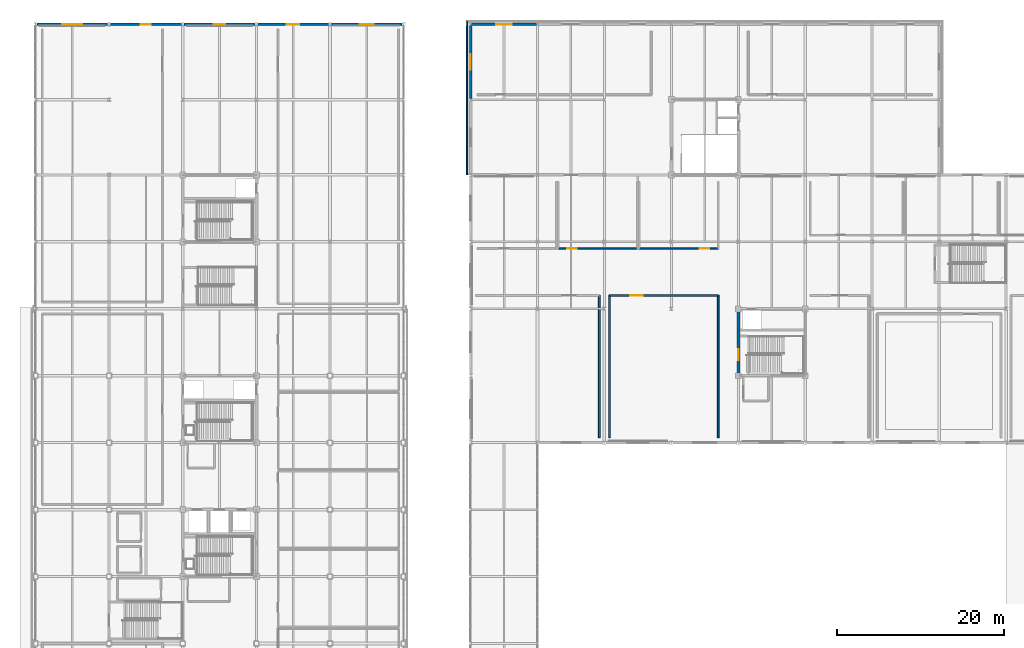
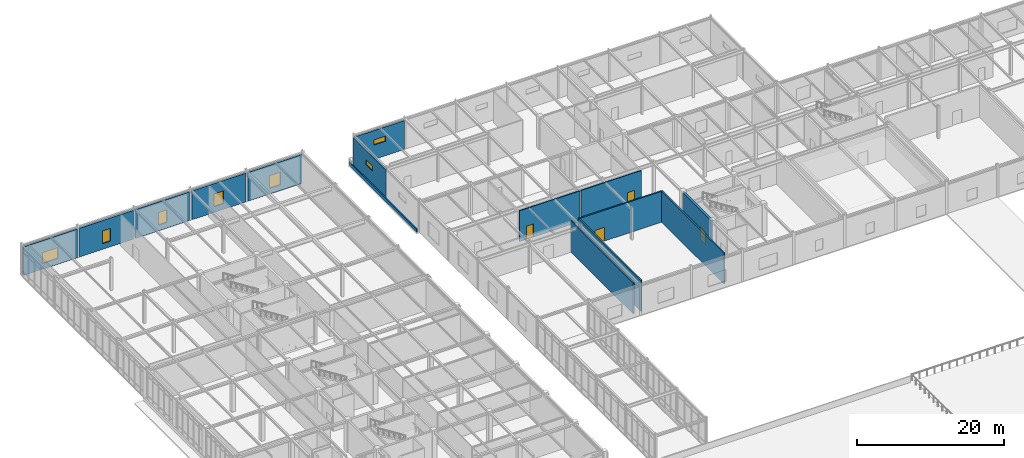
# One storey, part 91 of 108: 15 walls, 7 windows, 4 doors, 11 openings.
"""IFC4 building model written with IfcOpenShell, lengths in metres."""

from ifc_helpers import new_model, si_unit, direction, frame, frame_2d, origin, place, context, subcontext, project, spatial, rectangle, extrude, material, layer, layer_set, type_object, element, fill, save


model = new_model("IFC4")

# Units and contexts
model_context = context("Model", 3, precision=1e-05, world=origin(), true_north=direction((0.0, 1.0)))
body_context = subcontext(model_context, "Body", "Model", "MODEL_VIEW")
ifc_project = project(units=[si_unit("LENGTHUNIT", "METRE"), si_unit("AREAUNIT", "SQUARE_METRE"), si_unit("VOLUMEUNIT", "CUBIC_METRE"), si_unit("PLANEANGLEUNIT", "RADIAN"), si_unit("MASSUNIT", "GRAM", prefix="KILO")], contexts=[model_context])

# Site, building, storey
site_placement = place(None, origin())
site = spatial("IfcSite", under=ifc_project, at=site_placement, CompositionType="ELEMENT")
building_placement = place(site_placement, origin())
building = spatial("IfcBuilding", under=site, at=building_placement, Name="Zhaolan Boulevard Law Courts", CompositionType="ELEMENT")
storey_placement = place(building_placement, frame((0.0, 0.0, 10.800048828125)))
storey = spatial("IfcBuildingStorey", under=building, at=storey_placement, Name="L02", CompositionType="ELEMENT", Elevation=10.800048828125)

# Wall, opening, door
ifc_material_1 = material(Name="Concrete C50", Category="concrete")
ifc_layer_1 = layer(ifc_material_1, 0.35009765625)
ifc_layer_set_1 = layer_set([ifc_layer_1])
wall_type_1 = type_object("IfcWallType", Name="CORE SHEAR WALL 350", PredefinedType="SHEAR", material=ifc_layer_set_1)
wall_1_placement = place(storey_placement, frame((84.0, 70.175048828125, 0.0), z_axis=(0.0, 0.0, 1.0), x_axis=(0.0, 1.0, 0.0)))
wall_1 = element("IfcWall", 1, at=wall_1_placement, inside=storey, type_object=wall_type_1, Name="Core Shear Wall CW-T1-L02W", PredefinedType="SHEAR", context=body_context, shape_type="SweptSolid", body=[
    extrude(rectangle(XDim=7.64990234375, YDim=0.35009765625, at=frame_2d((3.824951171875, 0.0))), origin(), (0.0, 0.0, 1.0), 5.119873046875),
])
opening_1_placement = place(wall_1_placement, frame((1.64990234375, 0.0, 0.0)))
opening_1 = element("IfcOpeningElement", 2, at=opening_1_placement, cuts=wall_1, Name="Opening SD-L02-32", PredefinedType="OPENING", context=body_context, shape_type="SweptSolid", body=[
    extrude(rectangle(XDim=1.35009765625, YDim=2.199951171875, at=frame_2d((0.675048828125, 1.10009765625))), frame((0.0, 0.18505859375, 0.0), z_axis=(0.0, -1.0, 0.0), x_axis=(1.0, 0.0, 0.0)), (0.0, 0.0, 1.0), 0.3701171875),
])
ifc_material_2 = material(Name="Fire-rated steel acoustic door", Category="steel")
door_type_1 = type_object("IfcDoorType", Name="STAIR FIRE 1350X2200 R", OperationType="SINGLE_SWING_RIGHT", PredefinedType="DOOR", material=ifc_material_2)
door_1_placement = place(opening_1_placement, origin())
door_1 = element("IfcDoor", 3, at=door_1_placement, inside=storey, type_object=door_type_1, Name="Smoke-Proof Stairwell Fire Door SD-L02-32", OperationType="SINGLE_SWING_RIGHT", OverallHeight=2.199951171875, OverallWidth=1.35009765625, PredefinedType="DOOR", context=body_context, shape_type="SweptSolid", body=[
    extrude(rectangle(XDim=1.35009765625, YDim=2.199951171875, at=frame_2d((0.675048828125, 1.10009765625))), frame((0.0, 0.02490234375, 0.0), z_axis=(0.0, -1.0, 0.0), x_axis=(1.0, 0.0, 0.0)), (0.0, 0.0, 1.0), 0.050048828125),
])
fill(opening_1, door_1)

# Wall
ifc_material_3 = material(Name="Concrete C40", Category="concrete")
ifc_layer_2 = layer(ifc_material_3, 0.159912109375)
ifc_layer_set_2 = layer_set([ifc_layer_2])
wall_type_2 = type_object("IfcWallType", Name="EXT WALL ARCH CLAD160", PredefinedType="SOLIDWALL", material=ifc_layer_set_2)
wall_2_placement = place(storey_placement, frame((51.580078125, 112.419921875, 0.0), z_axis=(0.0, 0.0, 1.0), x_axis=(0.0, -1.0, 0.0)))
element("IfcWall", 4, at=wall_2_placement, inside=storey, type_object=wall_type_2, Name="Custody Concrete Spandrel Band CBW-258", PredefinedType="SOLIDWALL", context=body_context, shape_type="SweptSolid", body=[
    extrude(rectangle(XDim=18.419921875, YDim=0.159912109375, at=frame_2d((9.2099609375, 0.0))), origin(), (0.0, 0.0, 1.0), 0.550048828125),
])

# Wall, opening, window
ifc_material_4 = material(Name="Concrete C40", Category="concrete")
ifc_layer_3 = layer(ifc_material_4, 0.300048828125)
ifc_layer_set_3 = layer_set([ifc_layer_3])
wall_type_3 = type_object("IfcWallType", Name="EXT WALL CONCRETE300", PredefinedType="SOLIDWALL", material=ifc_layer_set_3)
wall_3_placement = place(storey_placement, frame((59.87890625, 112.0, 0.0), z_axis=(0.0, 0.0, 1.0), x_axis=(-1.0, 0.0, 0.0)))
wall_3 = element("IfcWall", 5, at=wall_3_placement, inside=storey, type_object=wall_type_3, Name="Exterior Wall EW-L02-328", PredefinedType="SOLIDWALL", context=body_context, shape_type="SweptSolid", body=[
    extrude(rectangle(XDim=7.7578125, YDim=0.300048828125, at=frame_2d((3.87890625, 0.0))), origin(), (0.0, 0.0, 1.0), 4.782958984375),
])
opening_2_placement = place(wall_3_placement, frame((2.97900390625, 0.0, 2.39990234375)))
opening_2 = element("IfcOpeningElement", 6, at=opening_2_placement, cuts=wall_3, Name="Opening WIN-L02-183", PredefinedType="OPENING", context=body_context, shape_type="SweptSolid", body=[
    extrude(rectangle(XDim=1.800048828125, YDim=0.85009765625, at=frame_2d((0.89990234375, 0.425048828125))), frame((0.0, 0.159912109375, 0.0), z_axis=(0.0, -1.0, 0.0), x_axis=(1.0, 0.0, 0.0)), (0.0, 0.0, 1.0), 0.320068359375),
])
ifc_material_5 = material(Name="Thermally broken aluminium and low-E glazing", Category="aluminium")
window_type_1 = type_object("IfcWindowType", Name="WINDOW 1800X850", PartitioningType="DOUBLE_PANEL_VERTICAL", PredefinedType="WINDOW", material=ifc_material_5)
window_1_placement = place(opening_2_placement, origin())
window_1 = element("IfcWindow", 7, at=window_1_placement, inside=storey, type_object=window_type_1, Name="Exterior Window WIN-L02-183", OverallHeight=0.85009765625, OverallWidth=1.800048828125, PartitioningType="SINGLE_PANEL", PredefinedType="WINDOW", context=body_context, shape_type="SweptSolid", body=[
    extrude(rectangle(XDim=1.800048828125, YDim=0.85009765625, at=frame_2d((0.89990234375, 0.425048828125))), frame((0.0, 0.030029296875, 0.0), z_axis=(0.0, -1.0, 0.0), x_axis=(1.0, 0.0, 0.0)), (0.0, 0.0, 1.0), 0.06005859375),
])
fill(opening_2, window_1)

wall_4_placement = place(storey_placement, frame((52.0, 111.87890625, 0.0), z_axis=(0.0, 0.0, 1.0), x_axis=(0.0, -1.0, 0.0)))
wall_4 = element("IfcWall", 8, at=wall_4_placement, inside=storey, type_object=wall_type_3, Name="Exterior Wall EW-L02-336", PredefinedType="SOLIDWALL", context=body_context, shape_type="SweptSolid", body=[
    extrude(rectangle(XDim=8.7578125, YDim=0.300048828125, at=frame_2d((4.37890625, 0.0))), origin(), (0.0, 0.0, 1.0), 4.782958984375),
])
opening_3_placement = place(wall_4_placement, frame((3.47900390625, 0.0, 2.39990234375)))
opening_3 = element("IfcOpeningElement", 9, at=opening_3_placement, cuts=wall_4, Name="Opening WIN-L02-191", PredefinedType="OPENING", context=body_context, shape_type="SweptSolid", body=[
    extrude(rectangle(XDim=1.800048828125, YDim=0.85009765625, at=frame_2d((0.89990234375, 0.425048828125))), frame((0.0, 0.159912109375, 0.0), z_axis=(0.0, -1.0, 0.0), x_axis=(1.0, 0.0, 0.0)), (0.0, 0.0, 1.0), 0.320068359375),
])
window_2_placement = place(opening_3_placement, origin())
window_2 = element("IfcWindow", 10, at=window_2_placement, inside=storey, type_object=window_type_1, Name="Exterior Window WIN-L02-191", OverallHeight=0.85009765625, OverallWidth=1.800048828125, PartitioningType="SINGLE_PANEL", PredefinedType="WINDOW", context=body_context, shape_type="SweptSolid", body=[
    extrude(rectangle(XDim=1.800048828125, YDim=0.85009765625, at=frame_2d((0.89990234375, 0.425048828125))), frame((0.0, 0.030029296875, 0.0), z_axis=(0.0, -1.0, 0.0), x_axis=(1.0, 0.0, 0.0)), (0.0, 0.0, 1.0), 0.06005859375),
])
fill(opening_3, window_2)

wall_5_placement = place(storey_placement, frame((8.62890625, 112.0, 0.0), z_axis=(0.0, 0.0, 1.0), x_axis=(-1.0, 0.0, 0.0)))
wall_5 = element("IfcWall", 11, at=wall_5_placement, inside=storey, type_object=wall_type_3, Name="Exterior Wall EW-L02-350", PredefinedType="SOLIDWALL", context=body_context, shape_type="SweptSolid", body=[
    extrude(rectangle(XDim=8.4580078125, YDim=0.300048828125, at=frame_2d((4.22900390625, 0.0))), origin(), (0.0, 0.0, 1.0), 4.762939453125),
])
opening_4_placement = place(wall_5_placement, frame((3.029052734375, 0.0, 0.949951171875)))
opening_4 = element("IfcOpeningElement", 12, at=opening_4_placement, cuts=wall_5, Name="Opening WIN-L02-203", PredefinedType="OPENING", context=body_context, shape_type="SweptSolid", body=[
    extrude(rectangle(XDim=2.39990234375, YDim=1.800048828125, at=frame_2d((1.199951171875, 0.89990234375))), frame((0.0, 0.159912109375, 0.0), z_axis=(0.0, -1.0, 0.0), x_axis=(1.0, 0.0, 0.0)), (0.0, 0.0, 1.0), 0.320068359375),
])
ifc_material_6 = material(Name="Thermally broken aluminium and low-E glazing", Category="aluminium")
window_type_2 = type_object("IfcWindowType", Name="WINDOW 2400X1800", PartitioningType="DOUBLE_PANEL_VERTICAL", PredefinedType="WINDOW", material=ifc_material_6)
window_3_placement = place(opening_4_placement, origin())
window_3 = element("IfcWindow", 13, at=window_3_placement, inside=storey, type_object=window_type_2, Name="Exterior Window WIN-L02-203", OverallHeight=1.800048828125, OverallWidth=2.39990234375, PartitioningType="SINGLE_PANEL", PredefinedType="WINDOW", context=body_context, shape_type="SweptSolid", body=[
    extrude(rectangle(XDim=2.39990234375, YDim=1.800048828125, at=frame_2d((1.199951171875, 0.89990234375))), frame((0.0, 0.030029296875, 0.0), z_axis=(0.0, -1.0, 0.0), x_axis=(1.0, 0.0, 0.0)), (0.0, 0.0, 1.0), 0.06005859375),
])
fill(opening_4, window_3)

wall_6_placement = place(storey_placement, frame((17.428955078125, 112.0, 0.0), z_axis=(0.0, 0.0, 1.0), x_axis=(-1.0, 0.0, 0.0)))
wall_6 = element("IfcWall", 14, at=wall_6_placement, inside=storey, type_object=wall_type_3, Name="Exterior Wall EW-L02-351", PredefinedType="SOLIDWALL", context=body_context, shape_type="SweptSolid", body=[
    extrude(rectangle(XDim=8.4580078125, YDim=0.300048828125, at=frame_2d((4.22900390625, 0.0))), origin(), (0.0, 0.0, 1.0), 4.762939453125),
])
opening_5_placement = place(wall_6_placement, frame((3.62890625, 0.0, 0.949951171875)))
opening_5 = element("IfcOpeningElement", 15, at=opening_5_placement, cuts=wall_6, Name="Opening WIN-L02-204", PredefinedType="OPENING", context=body_context, shape_type="SweptSolid", body=[
    extrude(rectangle(XDim=1.199951171875, YDim=2.10009765625, at=frame_2d((0.60009765625, 1.050048828125))), frame((0.0, 0.159912109375, 0.0), z_axis=(0.0, -1.0, 0.0), x_axis=(1.0, 0.0, 0.0)), (0.0, 0.0, 1.0), 0.320068359375),
])
ifc_material_7 = material(Name="Thermally broken aluminium and low-E glazing", Category="aluminium")
window_type_3 = type_object("IfcWindowType", Name="WINDOW 1200X2100", PartitioningType="SINGLE_PANEL", PredefinedType="WINDOW", material=ifc_material_7)
window_4_placement = place(opening_5_placement, origin())
window_4 = element("IfcWindow", 16, at=window_4_placement, inside=storey, type_object=window_type_3, Name="Exterior Window WIN-L02-204", OverallHeight=2.10009765625, OverallWidth=1.199951171875, PartitioningType="SINGLE_PANEL", PredefinedType="WINDOW", context=body_context, shape_type="SweptSolid", body=[
    extrude(rectangle(XDim=1.199951171875, YDim=2.10009765625, at=frame_2d((0.60009765625, 1.050048828125))), frame((0.0, 0.030029296875, 0.0), z_axis=(0.0, -1.0, 0.0), x_axis=(1.0, 0.0, 0.0)), (0.0, 0.0, 1.0), 0.06005859375),
])
fill(opening_5, window_4)

wall_7_placement = place(storey_placement, frame((26.22900390625, 112.0, 0.0), z_axis=(0.0, 0.0, 1.0), x_axis=(-1.0, 0.0, 0.0)))
wall_7 = element("IfcWall", 17, at=wall_7_placement, inside=storey, type_object=wall_type_3, Name="Exterior Wall EW-L02-352", PredefinedType="SOLIDWALL", context=body_context, shape_type="SweptSolid", body=[
    extrude(rectangle(XDim=8.4580078125, YDim=0.300048828125, at=frame_2d((4.22900390625, 0.0))), origin(), (0.0, 0.0, 1.0), 4.762939453125),
])
opening_6_placement = place(wall_7_placement, frame((3.553955078125, 0.0, 0.949951171875)))
opening_6 = element("IfcOpeningElement", 18, at=opening_6_placement, cuts=wall_7, Name="Opening WIN-L02-205", PredefinedType="OPENING", context=body_context, shape_type="SweptSolid", body=[
    extrude(rectangle(XDim=1.35009765625, YDim=2.10009765625, at=frame_2d((0.675048828125, 1.050048828125))), frame((0.0, 0.159912109375, 0.0), z_axis=(0.0, -1.0, 0.0), x_axis=(1.0, 0.0, 0.0)), (0.0, 0.0, 1.0), 0.320068359375),
])
ifc_material_8 = material(Name="Thermally broken aluminium and low-E glazing", Category="aluminium")
window_type_4 = type_object("IfcWindowType", Name="WINDOW 1350X2100", PartitioningType="SINGLE_PANEL", PredefinedType="WINDOW", material=ifc_material_8)
window_5_placement = place(opening_6_placement, origin())
window_5 = element("IfcWindow", 19, at=window_5_placement, inside=storey, type_object=window_type_4, Name="Exterior Window WIN-L02-205", OverallHeight=2.10009765625, OverallWidth=1.35009765625, PartitioningType="SINGLE_PANEL", PredefinedType="WINDOW", context=body_context, shape_type="SweptSolid", body=[
    extrude(rectangle(XDim=1.35009765625, YDim=2.10009765625, at=frame_2d((0.675048828125, 1.050048828125))), frame((0.0, 0.030029296875, 0.0), z_axis=(0.0, -1.0, 0.0), x_axis=(1.0, 0.0, 0.0)), (0.0, 0.0, 1.0), 0.06005859375),
])
fill(opening_6, window_5)

wall_8_placement = place(storey_placement, frame((35.029052734375, 112.0, 0.0), z_axis=(0.0, 0.0, 1.0), x_axis=(-1.0, 0.0, 0.0)))
wall_8 = element("IfcWall", 20, at=wall_8_placement, inside=storey, type_object=wall_type_3, Name="Exterior Wall EW-L02-353", PredefinedType="SOLIDWALL", context=body_context, shape_type="SweptSolid", body=[
    extrude(rectangle(XDim=8.4580078125, YDim=0.300048828125, at=frame_2d((4.22900390625, 0.0))), origin(), (0.0, 0.0, 1.0), 4.762939453125),
])
opening_7_placement = place(wall_8_placement, frame((3.47900390625, 0.0, 0.949951171875)))
opening_7 = element("IfcOpeningElement", 21, at=opening_7_placement, cuts=wall_8, Name="Opening WIN-L02-206", PredefinedType="OPENING", context=body_context, shape_type="SweptSolid", body=[
    extrude(rectangle(XDim=1.5, YDim=2.10009765625, at=frame_2d((0.75, 1.050048828125))), frame((0.0, 0.159912109375, 0.0), z_axis=(0.0, -1.0, 0.0), x_axis=(1.0, 0.0, 0.0)), (0.0, 0.0, 1.0), 0.320068359375),
])
ifc_material_9 = material(Name="Thermally broken aluminium and low-E glazing", Category="aluminium")
window_type_5 = type_object("IfcWindowType", Name="WINDOW 1500X2100", PartitioningType="SINGLE_PANEL", PredefinedType="WINDOW", material=ifc_material_9)
window_6_placement = place(opening_7_placement, origin())
window_6 = element("IfcWindow", 22, at=window_6_placement, inside=storey, type_object=window_type_5, Name="Exterior Window WIN-L02-206", OverallHeight=2.10009765625, OverallWidth=1.5, PartitioningType="SINGLE_PANEL", PredefinedType="WINDOW", context=body_context, shape_type="SweptSolid", body=[
    extrude(rectangle(XDim=1.5, YDim=2.10009765625, at=frame_2d((0.75, 1.050048828125))), frame((0.0, 0.030029296875, 0.0), z_axis=(0.0, -1.0, 0.0), x_axis=(1.0, 0.0, 0.0)), (0.0, 0.0, 1.0), 0.06005859375),
])
fill(opening_7, window_6)

wall_9_placement = place(storey_placement, frame((43.8291015625, 112.0, 0.0), z_axis=(0.0, 0.0, 1.0), x_axis=(-1.0, 0.0, 0.0)))
wall_9 = element("IfcWall", 23, at=wall_9_placement, inside=storey, type_object=wall_type_3, Name="Exterior Wall EW-L02-354", PredefinedType="SOLIDWALL", context=body_context, shape_type="SweptSolid", body=[
    extrude(rectangle(XDim=8.4580078125, YDim=0.300048828125, at=frame_2d((4.22900390625, 0.0))), origin(), (0.0, 0.0, 1.0), 4.762939453125),
])
opening_8_placement = place(wall_9_placement, frame((3.404052734375, 0.0, 0.949951171875)))
opening_8 = element("IfcOpeningElement", 24, at=opening_8_placement, cuts=wall_9, Name="Opening WIN-L02-207", PredefinedType="OPENING", context=body_context, shape_type="SweptSolid", body=[
    extrude(rectangle(XDim=1.64990234375, YDim=2.10009765625, at=frame_2d((0.824951171875, 1.050048828125))), frame((0.0, 0.159912109375, 0.0), z_axis=(0.0, -1.0, 0.0), x_axis=(1.0, 0.0, 0.0)), (0.0, 0.0, 1.0), 0.320068359375),
])
ifc_material_10 = material(Name="Thermally broken aluminium and low-E glazing", Category="aluminium")
window_type_6 = type_object("IfcWindowType", Name="WINDOW 1650X2100", PartitioningType="SINGLE_PANEL", PredefinedType="WINDOW", material=ifc_material_10)
window_7_placement = place(opening_8_placement, origin())
window_7 = element("IfcWindow", 25, at=window_7_placement, inside=storey, type_object=window_type_6, Name="Exterior Window WIN-L02-207", OverallHeight=2.10009765625, OverallWidth=1.64990234375, PartitioningType="SINGLE_PANEL", PredefinedType="WINDOW", context=body_context, shape_type="SweptSolid", body=[
    extrude(rectangle(XDim=1.64990234375, YDim=2.10009765625, at=frame_2d((0.824951171875, 1.050048828125))), frame((0.0, 0.030029296875, 0.0), z_axis=(0.0, -1.0, 0.0), x_axis=(1.0, 0.0, 0.0)), (0.0, 0.0, 1.0), 0.06005859375),
])
fill(opening_8, window_7)

# Wall, opening, door
ifc_material_11 = material(Name="Fire-rated gypsum stud partition")
ifc_layer_4 = layer(ifc_material_11, 0.159912109375)
ifc_layer_set_4 = layer_set([ifc_layer_4])
wall_type_4 = type_object("IfcWallType", Name="PART WALL CHAMB160", PredefinedType="PARTITIONING", material=ifc_layer_set_4)
wall_10_placement = place(storey_placement, frame((62.472900390625, 85.199951171875, 0.0), z_axis=(0.0, 0.0, 1.0), x_axis=(1.0, 0.0, 0.0)))
wall_10 = element("IfcWall", 26, at=wall_10_placement, inside=storey, type_object=wall_type_4, Name="Interior Partition PW-L02-465", PredefinedType="PARTITIONING", context=body_context, shape_type="SweptSolid", body=[
    extrude(rectangle(XDim=9.4541015625, YDim=0.159912109375, at=frame_2d((4.72705078125, 0.0))), origin(), (0.0, 0.0, 1.0), 5.119873046875),
])
opening_9_placement = place(wall_10_placement, frame((1.072998046875, 0.0, 0.0)))
opening_9 = element("IfcOpeningElement", 27, at=opening_9_placement, cuts=wall_10, Name="Opening JR-L02-146", PredefinedType="OPENING", context=body_context, shape_type="SweptSolid", body=[
    extrude(rectangle(XDim=1.1201171875, YDim=2.199951171875, at=frame_2d((0.56005859375, 1.10009765625))), frame((0.0, 0.08984375, 0.0), z_axis=(0.0, -1.0, 0.0), x_axis=(1.0, 0.0, 0.0)), (0.0, 0.0, 1.0), 0.179931640625),
])
ifc_material_12 = material(Name="Solid-core acoustic oak veneer door")
door_type_2 = type_object("IfcDoorType", Name="JURY DOOR 1120X2200 R", OperationType="SINGLE_SWING_RIGHT", PredefinedType="DOOR", material=ifc_material_12)
door_2_placement = place(opening_9_placement, origin())
door_2 = element("IfcDoor", 28, at=door_2_placement, inside=storey, type_object=door_type_2, Name="Door JR-L02-146 (Jury Room L02-02)", OperationType="SINGLE_SWING_RIGHT", OverallHeight=2.199951171875, OverallWidth=1.1201171875, PredefinedType="DOOR", context=body_context, shape_type="SweptSolid", body=[
    extrude(rectangle(XDim=1.1201171875, YDim=2.199951171875, at=frame_2d((0.56005859375, 1.10009765625))), frame((0.0, 0.02490234375, 0.0), z_axis=(0.0, -1.0, 0.0), x_axis=(1.0, 0.0, 0.0)), (0.0, 0.0, 1.0), 0.050048828125),
])
fill(opening_9, door_2)

wall_11_placement = place(storey_placement, frame((72.14697265625, 85.199951171875, 0.0), z_axis=(0.0, 0.0, 1.0), x_axis=(1.0, 0.0, 0.0)))
wall_11 = element("IfcWall", 29, at=wall_11_placement, inside=storey, type_object=wall_type_4, Name="Interior Partition PW-L02-468", PredefinedType="PARTITIONING", context=body_context, shape_type="SweptSolid", body=[
    extrude(rectangle(XDim=9.453125, YDim=0.159912109375, at=frame_2d((4.7265625, 0.0))), origin(), (0.0, 0.0, 1.0), 5.119873046875),
])
opening_10_placement = place(wall_11_placement, frame((7.23291015625, 0.0, 0.0)))
opening_10 = element("IfcOpeningElement", 30, at=opening_10_placement, cuts=wall_11, Name="Opening JR-L02-147", PredefinedType="OPENING", context=body_context, shape_type="SweptSolid", body=[
    extrude(rectangle(XDim=1.14990234375, YDim=2.199951171875, at=frame_2d((0.574951171875, 1.10009765625))), frame((0.0, 0.08984375, 0.0), z_axis=(0.0, -1.0, 0.0), x_axis=(1.0, 0.0, 0.0)), (0.0, 0.0, 1.0), 0.179931640625),
])
ifc_material_13 = material(Name="Solid-core acoustic oak veneer door")
door_type_3 = type_object("IfcDoorType", Name="JURY DOOR 1150X2200 L", OperationType="SINGLE_SWING_LEFT", PredefinedType="DOOR", material=ifc_material_13)
door_3_placement = place(opening_10_placement, origin())
door_3 = element("IfcDoor", 31, at=door_3_placement, inside=storey, type_object=door_type_3, Name="Door JR-L02-147 (Jury Room L02-03)", OperationType="SINGLE_SWING_LEFT", OverallHeight=2.199951171875, OverallWidth=1.14990234375, PredefinedType="DOOR", context=body_context, shape_type="SweptSolid", body=[
    extrude(rectangle(XDim=1.14990234375, YDim=2.199951171875, at=frame_2d((0.574951171875, 1.10009765625))), frame((0.0, 0.02490234375, 0.0), z_axis=(0.0, -1.0, 0.0), x_axis=(1.0, 0.0, 0.0)), (0.0, 0.0, 1.0), 0.050048828125),
])
fill(opening_10, door_3)

# Wall
ifc_material_14 = material(Name="Concrete C40", Category="concrete")
ifc_layer_5 = layer(ifc_material_14, 0.219970703125)
ifc_layer_set_5 = layer_set([ifc_layer_5])
wall_type_5 = type_object("IfcWallType", Name="PART WALL COURT220", PredefinedType="PARTITIONING", material=ifc_layer_set_5)
wall_12_placement = place(storey_placement, frame((67.39990234375, 62.60009765625, 0.0), z_axis=(0.0, 0.0, 1.0), x_axis=(0.0, 1.0, 0.0)))
element("IfcWall", 32, at=wall_12_placement, inside=storey, type_object=wall_type_5, Name="Interior Partition PW-L02-450", PredefinedType="PARTITIONING", context=body_context, shape_type="SweptSolid", body=[
    extrude(rectangle(XDim=17.0, YDim=0.219970703125, at=frame_2d((8.5, 0.0))), origin(), (0.0, 0.0, 1.0), 5.119873046875),
])

# Wall, opening, door
wall_13_placement = place(storey_placement, frame((81.60009765625, 79.60009765625, 0.0), z_axis=(0.0, 0.0, 1.0), x_axis=(-1.0, 0.0, 0.0)))
wall_13 = element("IfcWall", 33, at=wall_13_placement, inside=storey, type_object=wall_type_5, Name="Interior Partition PW-L02-451", PredefinedType="PARTITIONING", context=body_context, shape_type="SweptSolid", body=[
    extrude(rectangle(XDim=13.0, YDim=0.219970703125, at=frame_2d((6.5, 0.0))), origin(), (0.0, 0.0, 1.0), 5.119873046875),
])
opening_11_placement = place(wall_13_placement, frame((9.02001953125, 0.0, 0.0)))
opening_11 = element("IfcOpeningElement", 34, at=opening_11_placement, cuts=wall_13, Name="Opening ID-L02-140", PredefinedType="OPENING", context=body_context, shape_type="SweptSolid", body=[
    extrude(rectangle(XDim=1.5, YDim=2.300048828125, at=frame_2d((0.75, 1.14990234375))), frame((0.0, 0.119873046875, 0.0), z_axis=(0.0, -1.0, 0.0), x_axis=(1.0, 0.0, 0.0)), (0.0, 0.0, 1.0), 0.239990234375),
])
ifc_material_15 = material(Name="Solid-core acoustic oak veneer door")
door_type_4 = type_object("IfcDoorType", Name="COURT DOUBLE 1500X2300", OperationType="DOUBLE_DOOR_SINGLE_SWING", PredefinedType="DOOR", material=ifc_material_15)
door_4_placement = place(opening_11_placement, origin())
door_4 = element("IfcDoor", 35, at=door_4_placement, inside=storey, type_object=door_type_4, Name="Door ID-L02-140 (Gabled Trial Courtroom 10)", OperationType="DOUBLE_DOOR_SINGLE_SWING", OverallHeight=2.300048828125, OverallWidth=1.5, PredefinedType="DOOR", context=body_context, shape_type="SweptSolid", body=[
    extrude(rectangle(XDim=1.5, YDim=2.300048828125, at=frame_2d((0.75, 1.14990234375))), frame((0.0, 0.02490234375, 0.0), z_axis=(0.0, -1.0, 0.0), x_axis=(1.0, 0.0, 0.0)), (0.0, 0.0, 1.0), 0.050048828125),
])
fill(opening_11, door_4)

# Walls
for number, where, z_axis, x_axis, name in (
    (36, (68.60009765625, 79.60009765625, 0.0), (0.0, 0.0, 1.0), (0.0, -1.0, 0.0), "Interior Partition PW-L02-452"),
    (37, (81.60009765625, 62.60009765625, 0.0), (0.0, 0.0, 1.0), (0.0, 1.0, 0.0), "Interior Partition PW-L02-453"),
):
    element("IfcWall", number, at=place(storey_placement, frame(where, z_axis=z_axis, x_axis=x_axis)), inside=storey, type_object=wall_type_5, Name=name, PredefinedType="PARTITIONING", context=body_context, shape_type="SweptSolid", body=[
        extrude(rectangle(XDim=17.0, YDim=0.219970703125, at=frame_2d((8.5, 0.0))), origin(), (0.0, 0.0, 1.0), 5.119873046875),
    ])

save(model, "model.ifc")
